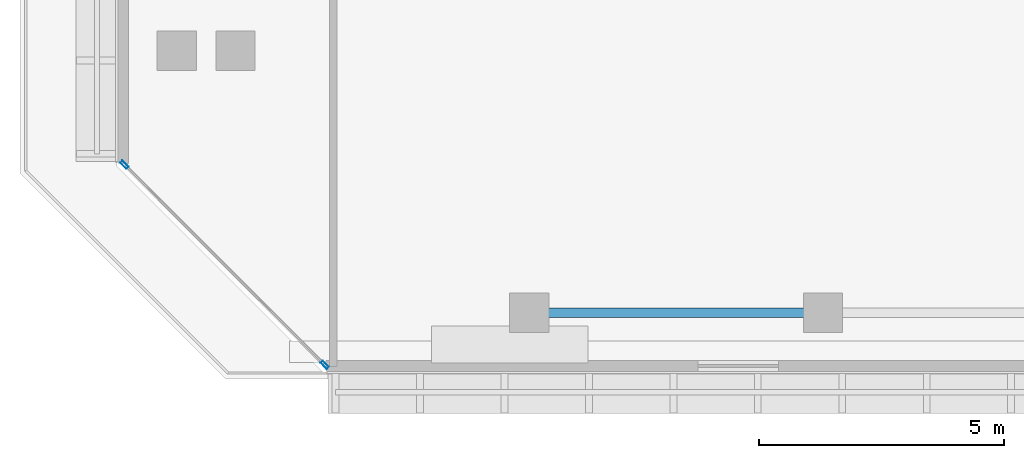
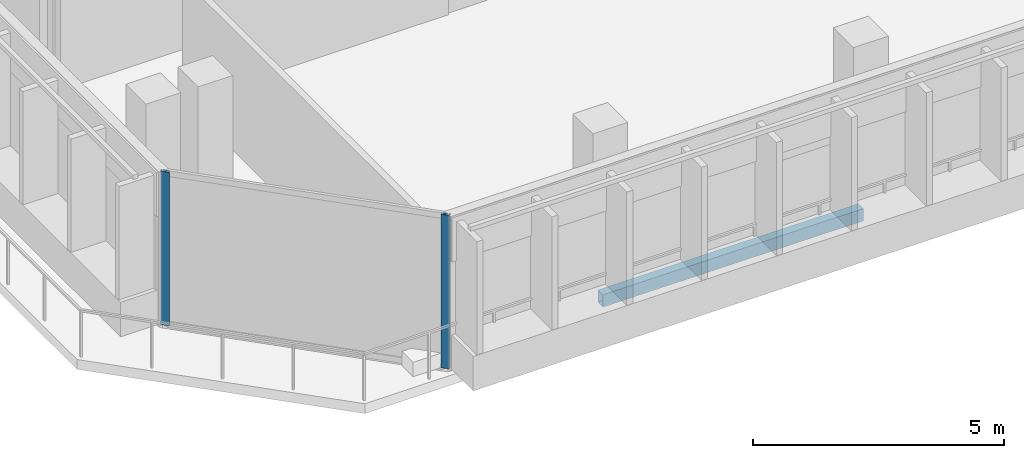
# One storey, part 2 of 26: 2 members, 1 beam, 1 element without a shape of its own.
"""IFC4 building model written with IfcOpenShell, lengths in metres."""

from ifc_helpers import new_model, si_unit, direction, frame, origin, origin_2d, place, context, subcontext, project, spatial, hollow_rectangle, extrude, material, layer, layer_set, material_profile, profile_set, type_object, element, aggregate, save


model = new_model("IFC4")

# Units and contexts
model_context = context("Model", 3, precision=1e-05, world=origin(), true_north=direction((0.0, 1.0)))
body_context = subcontext(model_context, "Body", "Model", "MODEL_VIEW")
ifc_project = project(units=[si_unit("LENGTHUNIT", "METRE"), si_unit("AREAUNIT", "SQUARE_METRE"), si_unit("VOLUMEUNIT", "CUBIC_METRE"), si_unit("PLANEANGLEUNIT", "RADIAN"), si_unit("MASSUNIT", "GRAM", prefix="KILO")], contexts=[model_context])

# Site, building, storey
site_placement = place(None, origin())
site = spatial("IfcSite", under=ifc_project, at=site_placement, CompositionType="ELEMENT")
building_placement = place(site_placement, origin())
building = spatial("IfcBuilding", under=site, at=building_placement, Name="Tanjung Sevakor Pilgrim Tower", CompositionType="ELEMENT")
storey_placement = place(building_placement, frame((0.0, 0.0, 177.8701171875)))
storey = spatial("IfcBuildingStorey", under=building, at=storey_placement, Name="L49", CompositionType="ELEMENT", Elevation=177.8701171875)

# Beam
ifc_material_1 = material(Name="Steel S355J2", Category="steel")
ifc_material_profile_1 = material_profile(ifc_material_1, hollow_rectangle(XDim=0.199951171875, YDim=0.300048828125, WallThickness=0.012451171875, at=origin_2d()))
ifc_profile_set_1 = profile_set([ifc_material_profile_1], Name="Steel S355J2")
beam_type = type_object("IfcBeamType", Name="BM-B-SP3-RHS_300x200x12.5", PredefinedType="SPANDREL", material=ifc_profile_set_1)
beam_placement = place(storey_placement, frame((30.0, 13.25, -0.43017578125), z_axis=(1.0, 0.0, 0.0), x_axis=(0.0, 1.0, 0.0)))
element("IfcBeam", 1, at=beam_placement, inside=storey, type_object=beam_type, Name="L49 Spandrel MAIN S-01", PredefinedType="SPANDREL", context=body_context, shape_type="SweptSolid", body=[
    extrude(hollow_rectangle(XDim=0.199951171875, YDim=0.300048828125, WallThickness=0.012451171875, at=origin_2d()), origin(), (0.0, 0.0, 1.0), 6.0),
])

# Curtain wall, members
ifc_material_2 = material(Name="Aluminium 6063-T6 and Low-E Glass", Category="aluminium")
ifc_layer = layer(ifc_material_2, 0.179931640625)
ifc_layer_set = layer_set([ifc_layer], Name="CW-SYS-CHAM")
curtain_wall_type = type_object("IfcCurtainWallType", Name="CW-SYS-CHAM", PredefinedType="NOTDEFINED", material=ifc_layer_set)
curtain_wall_placement = place(storey_placement, origin())
curtain_wall = element("IfcCurtainWall", 2, at=curtain_wall_placement, inside=storey, type_object=curtain_wall_type, Name="L49 Curtain Wall CW-CHM-L49-MAIN-15", PredefinedType="NOTDEFINED")
ifc_material_3 = material(Name="Aluminium 6063-T6", Category="aluminium")
ifc_material_profile_2 = material_profile(ifc_material_3, hollow_rectangle(XDim=0.06494140625, YDim=0.179931640625, WallThickness=0.00390625, at=origin_2d()))
ifc_profile_set_2 = profile_set([ifc_material_profile_2], Name="Aluminium 6063-T6")
member_type = type_object("IfcMemberType", Name="TYPE-CWM-1", PredefinedType="MULLION", material=ifc_profile_set_2)
member_1_placement = place(storey_placement, frame((21.73291015625, 16.272705078125, 0.0), z_axis=(0.0, 0.0, 1.0), x_axis=(0.707106781187, 0.707106781187, 0.0)))
member_1 = element("IfcMember", 3, at=member_1_placement, type_object=member_type, Name="CW-CHM mullion 1", PredefinedType="MULLION", context=body_context, shape_type="SweptSolid", body=[
    extrude(hollow_rectangle(XDim=0.06494140625, YDim=0.179931640625, WallThickness=0.00390625, at=origin_2d()), origin(), (0.0, 0.0, 1.0), 3.739990234375),
])
member_2_placement = place(storey_placement, frame((25.822509765625, 12.182861328125, 0.0), z_axis=(0.0, 0.0, 1.0), x_axis=(0.707106781187, 0.707106781187, 0.0)))
member_2 = element("IfcMember", 4, at=member_2_placement, type_object=member_type, Name="CW-CHM mullion 2", PredefinedType="MULLION", context=body_context, shape_type="SweptSolid", body=[
    extrude(hollow_rectangle(XDim=0.06494140625, YDim=0.179931640625, WallThickness=0.00390625, at=origin_2d()), origin(), (0.0, 0.0, 1.0), 3.739990234375),
])
aggregate(curtain_wall, [member_1, member_2])

save(model, "model.ifc")
